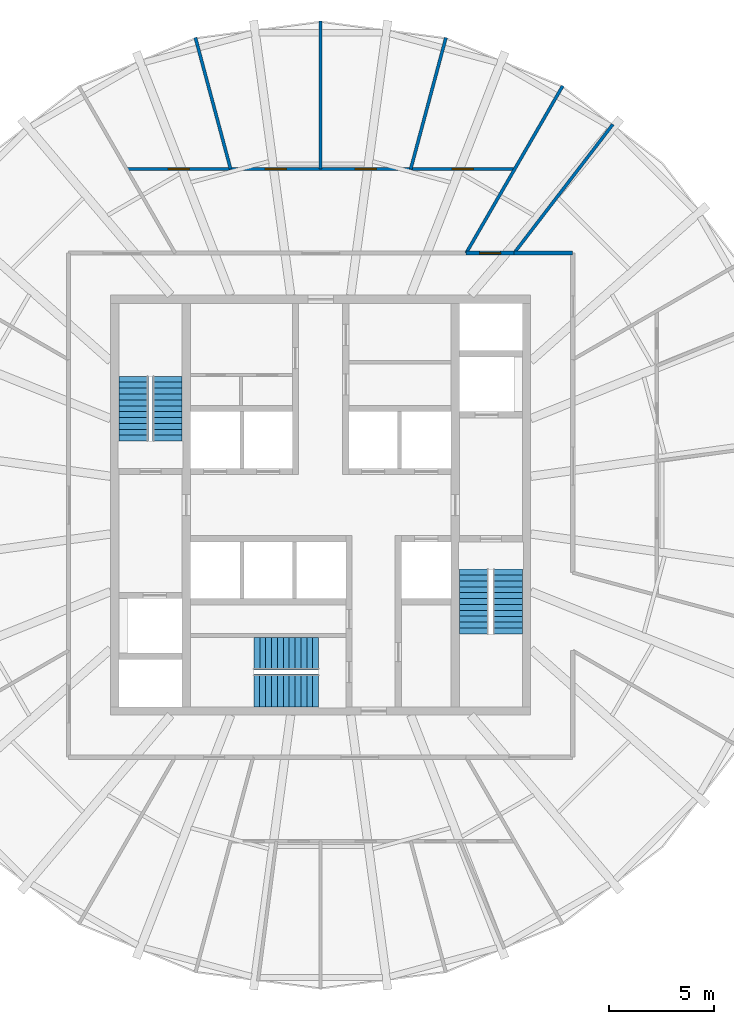
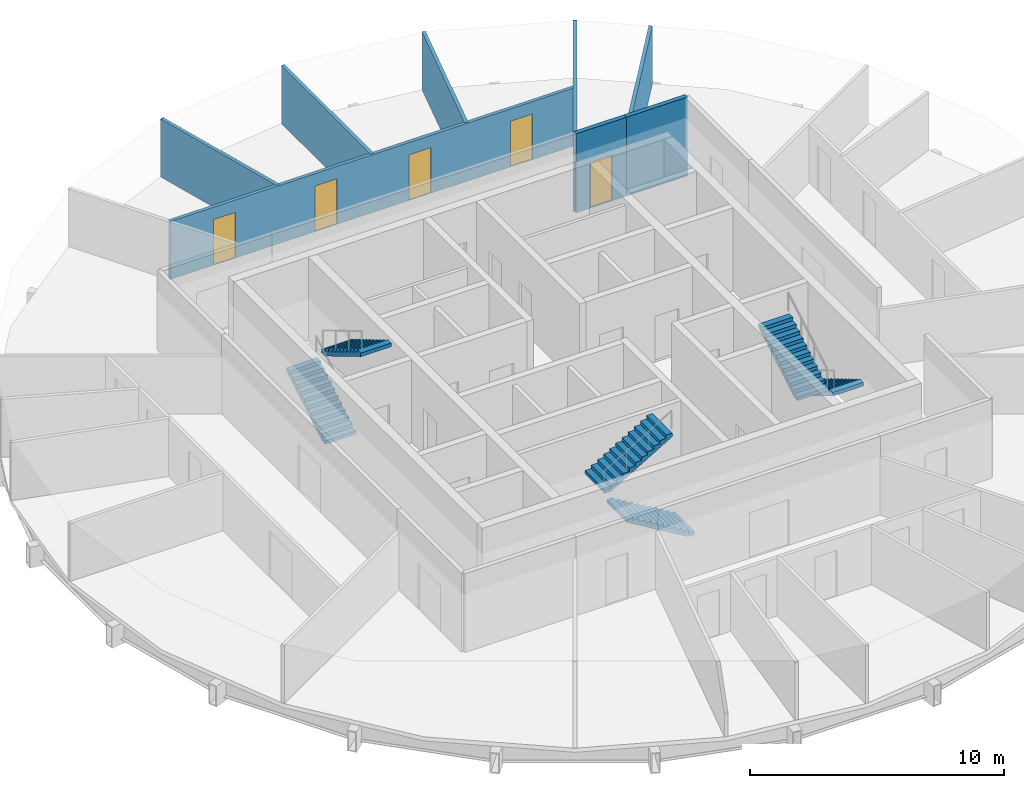
# One storey, part 5 of 6: 8 walls, 6 stair flights, 5 doors, 5 openings, 3 elements without a shape of their own.
"""IFC4 building model written with IfcOpenShell, lengths in metres."""

from ifc_helpers import new_model, si_unit, direction, frame, frame_2d, origin, place, context, subcontext, project, spatial, polyline, rectangle, outline, extrude, material, layer, layer_set, type_object, element, fill, aggregate, save


model = new_model("IFC4")

# Units and contexts
model_context = context("Model", 3, precision=1e-05, world=origin(), true_north=direction((0.0, 1.0)))
body_context = subcontext(model_context, "Body", "Model", "MODEL_VIEW")
ifc_project = project(units=[si_unit("LENGTHUNIT", "METRE"), si_unit("AREAUNIT", "SQUARE_METRE"), si_unit("VOLUMEUNIT", "CUBIC_METRE"), si_unit("PLANEANGLEUNIT", "RADIAN"), si_unit("MASSUNIT", "GRAM", prefix="KILO")], contexts=[model_context])

# Site, building, storey
site_placement = place(None, origin())
site = spatial("IfcSite", under=ifc_project, at=site_placement, CompositionType="ELEMENT")
building_placement = place(site_placement, origin())
building = spatial("IfcBuilding", under=site, at=building_placement, Name="Golbaran Civic Tower", CompositionType="ELEMENT")
storey_placement = place(building_placement, frame((0.0, 0.0, 224.0)))
storey = spatial("IfcBuildingStorey", under=building, at=storey_placement, Name="L54", CompositionType="ELEMENT", Elevation=224.0)

# Wall
ifc_material_1 = material(Name="Gypsum board on steel studs, fire-rated", Category="steel")
ifc_layer_1 = layer(ifc_material_1, 0.199951171875, Name="Gypsum board on steel studs, fire-rated")
ifc_layer_set_1 = layer_set([ifc_layer_1], Name="Gypsum board on steel studs, fire-rated")
wall_type_1 = type_object("IfcWallType", Name="CORRIDOR WALL 200", PredefinedType="PARTITIONING", material=ifc_layer_set_1)
wall_1_placement = place(storey_placement, frame((12.0, 12.0, 0.0), z_axis=(0.0, 0.0, 1.0), x_axis=(-1.0, 0.0, 0.0)))
element("IfcWall", 1, at=wall_1_placement, inside=storey, type_object=wall_type_1, Name="Corridor wall L54", PredefinedType="PARTITIONING", context=body_context, shape_type="SweptSolid", body=[
    extrude(rectangle(XDim=2.7919921875, YDim=0.199951171875, at=frame_2d((1.39599609375, 0.0))), origin(), (0.0, 0.0, 1.0), 3.800048828125),
])

# Wall, opening, door
wall_2_placement = place(storey_placement, frame((9.2080078125, 12.0, 0.0), z_axis=(0.0, 0.0, 1.0), x_axis=(-1.0, 0.0, 0.0)))
wall_2 = element("IfcWall", 2, at=wall_2_placement, inside=storey, type_object=wall_type_1, Name="Corridor wall L54", PredefinedType="PARTITIONING", context=body_context, shape_type="SweptSolid", body=[
    extrude(rectangle(XDim=2.27978515625, YDim=0.199951171875, at=frame_2d((1.139892578125, 0.0))), origin(), (0.0, 0.0, 1.0), 3.800048828125),
])
opening_1_placement = place(wall_2_placement, frame((0.639892578125, 0.0, 0.0)))
opening_1 = element("IfcOpeningElement", 3, at=opening_1_placement, cuts=wall_2, Name="Opening L54.19", PredefinedType="OPENING", context=body_context, shape_type="SweptSolid", body=[
    extrude(rectangle(XDim=1.0, YDim=2.199951171875, at=frame_2d((0.5, 1.10009765625))), frame((0.0, 0.10986328125, 0.0), z_axis=(0.0, -1.0, 0.0), x_axis=(1.0, 0.0, 0.0)), (0.0, 0.0, 1.0), 0.219970703125),
])
ifc_material_2 = material(Name="Timber door set in steel frame", Category="steel")
door_type = type_object("IfcDoorType", Name="OFFICE DOOR 1000x2200", OperationType="SINGLE_SWING_LEFT", PredefinedType="DOOR", material=ifc_material_2)
door_1_placement = place(opening_1_placement, origin())
door_1 = element("IfcDoor", 4, at=door_1_placement, inside=storey, type_object=door_type, Name="Prayer Room door L54", OperationType="SINGLE_SWING_RIGHT", OverallHeight=2.199951171875, OverallWidth=1.0, PredefinedType="DOOR", context=body_context, shape_type="SweptSolid", body=[
    extrude(rectangle(XDim=1.0, YDim=2.199951171875, at=frame_2d((0.5, 1.10009765625))), frame((0.0, 0.02490234375, 0.0), z_axis=(0.0, -1.0, 0.0), x_axis=(1.0, 0.0, 0.0)), (0.0, 0.0, 1.0), 0.050048828125),
])
fill(opening_1, door_1)

# Walls
ifc_material_3 = material(Name="Gypsum board on steel studs", Category="steel")
ifc_layer_2 = layer(ifc_material_3, 0.14990234375, Name="Gypsum board on steel studs")
ifc_layer_set_2 = layer_set([ifc_layer_2], Name="Gypsum board on steel studs")
wall_type_2 = type_object("IfcWallType", Name="OFFICE PARTITION 150", PredefinedType="PARTITIONING", material=ifc_layer_set_2)
wall_3_placement = place(storey_placement, frame((9.2080078125, 12.0, 0.0), z_axis=(0.0, 0.0, 1.0), x_axis=(0.608747506595, 0.793364023141, 0.0)))
element("IfcWall", 5, at=wall_3_placement, inside=storey, type_object=wall_type_2, Name="Partition 52.5 L54", PredefinedType="PARTITIONING", context=body_context, shape_type="SweptSolid", body=[
    extrude(rectangle(XDim=7.72021484375, YDim=0.14990234375, at=frame_2d((3.860107421875, 0.0))), origin(), (0.0, 0.0, 1.0), 2.7900390625),
])
wall_4_placement = place(storey_placement, frame((6.92822265625, 12.0, 0.0), z_axis=(0.0, 0.0, 1.0), x_axis=(0.500006167237, 0.866021843099, 0.0)))
element("IfcWall", 6, at=wall_4_placement, inside=storey, type_object=wall_type_2, Name="Partition 60 L54", PredefinedType="PARTITIONING", context=body_context, shape_type="SweptSolid", body=[
    extrude(rectangle(XDim=9.18701171875, YDim=0.14990234375, at=frame_2d((4.593505859375, 0.0))), origin(), (0.0, 0.0, 1.0), 2.7900390625),
])

# Wall, openings, doors
wall_5_placement = place(storey_placement, frame((9.237548828125, 16.0, 0.0), z_axis=(0.0, 0.0, 1.0), x_axis=(-1.0, 0.0, 0.0)))
wall_5 = element("IfcWall", 7, at=wall_5_placement, inside=storey, type_object=wall_type_2, Name="Suite partition L54", PredefinedType="PARTITIONING", context=body_context, shape_type="SweptSolid", body=[
    extrude(rectangle(XDim=18.47509765625, YDim=0.14990234375, at=frame_2d((9.237548828125, 0.0))), origin(), (0.0, 0.0, 1.0), 2.7900390625),
])
opening_2_placement = place(wall_5_placement, frame((1.97509765625, 0.0, 0.0)))
opening_2 = element("IfcOpeningElement", 8, at=opening_2_placement, cuts=wall_5, Name="Opening L54.04", PredefinedType="OPENING", context=body_context, shape_type="SweptSolid", body=[
    extrude(rectangle(XDim=1.0, YDim=2.199951171875, at=frame_2d((0.5, 1.10009765625))), frame((0.0, 0.0849609375, 0.0), z_axis=(0.0, -1.0, 0.0), x_axis=(1.0, 0.0, 0.0)), (0.0, 0.0, 1.0), 0.169921875),
])
opening_3_placement = place(wall_5_placement, frame((6.593994140625, 0.0, 0.0)))
opening_3 = element("IfcOpeningElement", 9, at=opening_3_placement, cuts=wall_5, Name="Opening L54.05", PredefinedType="OPENING", context=body_context, shape_type="SweptSolid", body=[
    extrude(rectangle(XDim=1.0, YDim=2.199951171875, at=frame_2d((0.5, 1.10009765625))), frame((0.0, 0.0849609375, 0.0), z_axis=(0.0, -1.0, 0.0), x_axis=(1.0, 0.0, 0.0)), (0.0, 0.0, 1.0), 0.169921875),
])
opening_4_placement = place(wall_5_placement, frame((10.881103515625, 0.0, 0.0)))
opening_4 = element("IfcOpeningElement", 10, at=opening_4_placement, cuts=wall_5, Name="Opening L54.06", PredefinedType="OPENING", context=body_context, shape_type="SweptSolid", body=[
    extrude(rectangle(XDim=1.0, YDim=2.199951171875, at=frame_2d((0.5, 1.10009765625))), frame((0.0, 0.0849609375, 0.0), z_axis=(0.0, -1.0, 0.0), x_axis=(1.0, 0.0, 0.0)), (0.0, 0.0, 1.0), 0.169921875),
])
opening_5_placement = place(wall_5_placement, frame((15.5, 0.0, 0.0)))
opening_5 = element("IfcOpeningElement", 11, at=opening_5_placement, cuts=wall_5, Name="Opening L54.07", PredefinedType="OPENING", context=body_context, shape_type="SweptSolid", body=[
    extrude(rectangle(XDim=1.0, YDim=2.199951171875, at=frame_2d((0.5, 1.10009765625))), frame((0.0, 0.0849609375, 0.0), z_axis=(0.0, -1.0, 0.0), x_axis=(1.0, 0.0, 0.0)), (0.0, 0.0, 1.0), 0.169921875),
])
door_2_placement = place(opening_2_placement, origin())
door_2 = element("IfcDoor", 12, at=door_2_placement, inside=storey, type_object=door_type, Name="Assistants' Office door L54", OperationType="SINGLE_SWING_LEFT", OverallHeight=2.199951171875, OverallWidth=1.0, PredefinedType="DOOR", context=body_context, shape_type="SweptSolid", body=[
    extrude(rectangle(XDim=1.0, YDim=2.199951171875, at=frame_2d((0.5, 1.10009765625))), frame((0.0, 0.02490234375, 0.0), z_axis=(0.0, -1.0, 0.0), x_axis=(1.0, 0.0, 0.0)), (0.0, 0.0, 1.0), 0.050048828125),
])
fill(opening_2, door_2)
door_3_placement = place(opening_3_placement, origin())
door_3 = element("IfcDoor", 13, at=door_3_placement, inside=storey, type_object=door_type, Name="Office door L54", OperationType="SINGLE_SWING_LEFT", OverallHeight=2.199951171875, OverallWidth=1.0, PredefinedType="DOOR", context=body_context, shape_type="SweptSolid", body=[
    extrude(rectangle(XDim=1.0, YDim=2.199951171875, at=frame_2d((0.5, 1.10009765625))), frame((0.0, 0.02490234375, 0.0), z_axis=(0.0, -1.0, 0.0), x_axis=(1.0, 0.0, 0.0)), (0.0, 0.0, 1.0), 0.050048828125),
])
fill(opening_3, door_3)
door_4_placement = place(opening_4_placement, origin())
door_4 = element("IfcDoor", 14, at=door_4_placement, inside=storey, type_object=door_type, Name="Office door L54", OperationType="SINGLE_SWING_RIGHT", OverallHeight=2.199951171875, OverallWidth=1.0, PredefinedType="DOOR", context=body_context, shape_type="SweptSolid", body=[
    extrude(rectangle(XDim=1.0, YDim=2.199951171875, at=frame_2d((0.5, 1.10009765625))), frame((0.0, 0.02490234375, 0.0), z_axis=(0.0, -1.0, 0.0), x_axis=(1.0, 0.0, 0.0)), (0.0, 0.0, 1.0), 0.050048828125),
])
fill(opening_4, door_4)
door_5_placement = place(opening_5_placement, origin())
door_5 = element("IfcDoor", 15, at=door_5_placement, inside=storey, type_object=door_type, Name="Assistants' Office door L54", OperationType="SINGLE_SWING_RIGHT", OverallHeight=2.199951171875, OverallWidth=1.0, PredefinedType="DOOR", context=body_context, shape_type="SweptSolid", body=[
    extrude(rectangle(XDim=1.0, YDim=2.199951171875, at=frame_2d((0.5, 1.10009765625))), frame((0.0, 0.02490234375, 0.0), z_axis=(0.0, -1.0, 0.0), x_axis=(1.0, 0.0, 0.0)), (0.0, 0.0, 1.0), 0.050048828125),
])
fill(opening_5, door_5)

# Walls
wall_6_placement = place(storey_placement, frame((4.287109375, 16.0, 0.0), z_axis=(0.0, 0.0, 1.0), x_axis=(0.258842191576, 0.965919623913, 0.0)))
element("IfcWall", 16, at=wall_6_placement, inside=storey, type_object=wall_type_2, Name="Partition 75 L54", PredefinedType="PARTITIONING", context=body_context, shape_type="SweptSolid", body=[
    extrude(rectangle(XDim=6.478759765625, YDim=0.14990234375, at=frame_2d((3.2392578125, 0.0))), origin(), (0.0, 0.0, 1.0), 2.7900390625),
])
wall_7_placement = place(storey_placement, frame((0.0, 16.0, 0.0), z_axis=(0.0, 0.0, 1.0), x_axis=(0.0, 1.0, 0.0)))
element("IfcWall", 17, at=wall_7_placement, inside=storey, type_object=wall_type_2, Name="Partition 90 L54", PredefinedType="PARTITIONING", context=body_context, shape_type="SweptSolid", body=[
    extrude(rectangle(XDim=7.043212890625, YDim=0.14990234375, at=frame_2d((3.521484375, 0.0))), origin(), (0.0, 0.0, 1.0), 2.7900390625),
])
wall_8_placement = place(storey_placement, frame((-4.287109375, 16.0, 0.0), z_axis=(0.0, 0.0, 1.0), x_axis=(-0.258842191576, 0.965919623913, 0.0)))
element("IfcWall", 18, at=wall_8_placement, inside=storey, type_object=wall_type_2, Name="Partition 105 L54", PredefinedType="PARTITIONING", context=body_context, shape_type="SweptSolid", body=[
    extrude(rectangle(XDim=6.478759765625, YDim=0.14990234375, at=frame_2d((3.2392578125, 0.0))), origin(), (0.0, 0.0, 1.0), 2.7900390625),
])

# Stair, stair flights
ifc_material_4 = material(Name="Concrete C35/45", Category="concrete")
stair_type_1 = type_object("IfcStairType", Name="EXIT STAIR 3000 x 7850, 4000 RISE", PredefinedType="HALF_TURN_STAIR", material=ifc_material_4)
stair_1_placement = place(storey_placement, origin())
stair_1 = element("IfcStair", 19, at=stair_1_placement, inside=storey, type_object=stair_type_1, Name="Stair S1 L54", PredefinedType="HALF_TURN_STAIR")
stair_flight_type_1 = type_object("IfcStairFlightType", Name="STAIR FLIGHT 1400 WIDE", PredefinedType="STRAIGHT", material=ifc_material_4)
stair_flight_1_placement = place(storey_placement, frame((-8.89990234375, 3.050048828125, 0.0), z_axis=(0.0, 0.0, 1.0), x_axis=(0.0, 1.0, 0.0)))
stair_flight_1 = element("IfcStairFlight", 20, at=stair_flight_1_placement, type_object=stair_flight_type_1, Name="ST30078-40 flight 1", NumberOfRisers=12, NumberOfTreads=11, PredefinedType="STRAIGHT", RiserHeight=0.166666667, TreadLength=0.28, context=body_context, shape_type="SweptSolid", body=[
    extrude(outline(polyline([(0.0, 0.0), (0.0, 0.166748046875), (0.280029296875, 0.166748046875), (0.280029296875, 0.333251953125), (0.56005859375, 0.333251953125), (0.56005859375, 0.5), (0.840087890625, 0.5), (0.840087890625, 0.666748046875), (1.1201171875, 0.666748046875), (1.1201171875, 0.833251953125), (1.39990234375, 0.833251953125), (1.39990234375, 1.0), (1.679931640625, 1.0), (1.679931640625, 1.166748046875), (1.9599609375, 1.166748046875), (1.9599609375, 1.333251953125), (2.239990234375, 1.333251953125), (2.239990234375, 1.5), (2.52001953125, 1.5), (2.52001953125, 1.666748046875), (2.800048828125, 1.666748046875), (2.800048828125, 1.833251953125), (3.080078125, 1.833251953125), (3.080078125, 2.0), (3.080078125, 1.658935546875), (0.29296875, 0.0), (0.0, 0.0)])), frame((0.0, 0.699951171875, 0.0), z_axis=(0.0, -1.0, 0.0), x_axis=(1.0, 0.0, 0.0)), (0.0, 0.0, 1.0), 1.39990234375),
])
stair_flight_2_placement = place(storey_placement, frame((-7.300048828125, 6.1298828125, 2.0), z_axis=(0.0, 0.0, 1.0), x_axis=(0.0, -1.0, 0.0)))
stair_flight_2 = element("IfcStairFlight", 21, at=stair_flight_2_placement, type_object=stair_flight_type_1, Name="ST30078-40 flight 2", NumberOfRisers=12, NumberOfTreads=11, PredefinedType="STRAIGHT", RiserHeight=0.166666667, TreadLength=0.28, context=body_context, shape_type="SweptSolid", body=[
    extrude(outline(polyline([(0.0, 0.0), (0.0, 0.166748046875), (0.280029296875, 0.166748046875), (0.280029296875, 0.333251953125), (0.56005859375, 0.333251953125), (0.56005859375, 0.5), (0.840087890625, 0.5), (0.840087890625, 0.666748046875), (1.1201171875, 0.666748046875), (1.1201171875, 0.833251953125), (1.39990234375, 0.833251953125), (1.39990234375, 1.0), (1.679931640625, 1.0), (1.679931640625, 1.166748046875), (1.9599609375, 1.166748046875), (1.9599609375, 1.333251953125), (2.239990234375, 1.333251953125), (2.239990234375, 1.5), (2.52001953125, 1.5), (2.52001953125, 1.666748046875), (2.800048828125, 1.666748046875), (2.800048828125, 1.833251953125), (3.080078125, 1.833251953125), (3.080078125, 2.0), (3.080078125, 1.658935546875), (0.29296875, 0.0), (0.0, 0.0)])), frame((0.0, 0.699951171875, 0.0), z_axis=(0.0, -1.0, 0.0), x_axis=(1.0, 0.0, 0.0)), (0.0, 0.0, 1.0), 1.39990234375),
])
aggregate(stair_1, [stair_flight_1, stair_flight_2])

stair_2_placement = place(storey_placement, origin())
stair_2 = element("IfcStair", 22, at=stair_2_placement, inside=storey, type_object=stair_type_1, Name="Stair S2 L54", PredefinedType="HALF_TURN_STAIR")
stair_flight_3_placement = place(storey_placement, frame((8.89990234375, -3.050048828125, 0.0), z_axis=(0.0, 0.0, 1.0), x_axis=(0.0, -1.0, 0.0)))
stair_flight_3 = element("IfcStairFlight", 23, at=stair_flight_3_placement, type_object=stair_flight_type_1, Name="ST30078-40 flight 1", NumberOfRisers=12, NumberOfTreads=11, PredefinedType="STRAIGHT", RiserHeight=0.166666667, TreadLength=0.28, context=body_context, shape_type="SweptSolid", body=[
    extrude(outline(polyline([(0.0, 0.0), (0.0, 0.166748046875), (0.280029296875, 0.166748046875), (0.280029296875, 0.333251953125), (0.56005859375, 0.333251953125), (0.56005859375, 0.5), (0.840087890625, 0.5), (0.840087890625, 0.666748046875), (1.1201171875, 0.666748046875), (1.1201171875, 0.833251953125), (1.39990234375, 0.833251953125), (1.39990234375, 1.0), (1.679931640625, 1.0), (1.679931640625, 1.166748046875), (1.9599609375, 1.166748046875), (1.9599609375, 1.333251953125), (2.239990234375, 1.333251953125), (2.239990234375, 1.5), (2.52001953125, 1.5), (2.52001953125, 1.666748046875), (2.800048828125, 1.666748046875), (2.800048828125, 1.833251953125), (3.080078125, 1.833251953125), (3.080078125, 2.0), (3.080078125, 1.658935546875), (0.29296875, 0.0), (0.0, 0.0)])), frame((0.0, 0.699951171875, 0.0), z_axis=(0.0, -1.0, 0.0), x_axis=(1.0, 0.0, 0.0)), (0.0, 0.0, 1.0), 1.39990234375),
])
stair_flight_4_placement = place(storey_placement, frame((7.300048828125, -6.1298828125, 2.0), z_axis=(0.0, 0.0, 1.0), x_axis=(0.0, 1.0, 0.0)))
stair_flight_4 = element("IfcStairFlight", 24, at=stair_flight_4_placement, type_object=stair_flight_type_1, Name="ST30078-40 flight 2", NumberOfRisers=12, NumberOfTreads=11, PredefinedType="STRAIGHT", RiserHeight=0.166666667, TreadLength=0.28, context=body_context, shape_type="SweptSolid", body=[
    extrude(outline(polyline([(0.0, 0.0), (0.0, 0.166748046875), (0.280029296875, 0.166748046875), (0.280029296875, 0.333251953125), (0.56005859375, 0.333251953125), (0.56005859375, 0.5), (0.840087890625, 0.5), (0.840087890625, 0.666748046875), (1.1201171875, 0.666748046875), (1.1201171875, 0.833251953125), (1.39990234375, 0.833251953125), (1.39990234375, 1.0), (1.679931640625, 1.0), (1.679931640625, 1.166748046875), (1.9599609375, 1.166748046875), (1.9599609375, 1.333251953125), (2.239990234375, 1.333251953125), (2.239990234375, 1.5), (2.52001953125, 1.5), (2.52001953125, 1.666748046875), (2.800048828125, 1.666748046875), (2.800048828125, 1.833251953125), (3.080078125, 1.833251953125), (3.080078125, 2.0), (3.080078125, 1.658935546875), (0.29296875, 0.0), (0.0, 0.0)])), frame((0.0, 0.699951171875, 0.0), z_axis=(0.0, -1.0, 0.0), x_axis=(1.0, 0.0, 0.0)), (0.0, 0.0, 1.0), 1.39990234375),
])
aggregate(stair_2, [stair_flight_3, stair_flight_4])

stair_type_2 = type_object("IfcStairType", Name="EXIT STAIR 3300 x 7400, 4000 RISE", PredefinedType="HALF_TURN_STAIR", material=ifc_material_4)
stair_3_placement = place(storey_placement, origin())
stair_3 = element("IfcStair", 25, at=stair_3_placement, inside=storey, type_object=stair_type_2, Name="Stair S3 L54", PredefinedType="HALF_TURN_STAIR")
stair_flight_type_2 = type_object("IfcStairFlightType", Name="STAIR FLIGHT 1550 WIDE", PredefinedType="STRAIGHT", material=ifc_material_4)
stair_flight_5_placement = place(storey_placement, frame((-0.10009765625, -8.824951171875, 0.0), z_axis=(0.0, 0.0, 1.0), x_axis=(-1.0, 0.0, 0.0)))
stair_flight_5 = element("IfcStairFlight", 26, at=stair_flight_5_placement, type_object=stair_flight_type_2, Name="ST33074-40 flight 1", NumberOfRisers=12, NumberOfTreads=11, PredefinedType="STRAIGHT", RiserHeight=0.166666667, TreadLength=0.28, context=body_context, shape_type="SweptSolid", body=[
    extrude(outline(polyline([(0.0, 0.0), (0.0, 0.166748046875), (0.280029296875, 0.166748046875), (0.280029296875, 0.333251953125), (0.56005859375, 0.333251953125), (0.56005859375, 0.5), (0.840087890625, 0.5), (0.840087890625, 0.666748046875), (1.1201171875, 0.666748046875), (1.1201171875, 0.833251953125), (1.39990234375, 0.833251953125), (1.39990234375, 1.0), (1.679931640625, 1.0), (1.679931640625, 1.166748046875), (1.9599609375, 1.166748046875), (1.9599609375, 1.333251953125), (2.239990234375, 1.333251953125), (2.239990234375, 1.5), (2.52001953125, 1.5), (2.52001953125, 1.666748046875), (2.800048828125, 1.666748046875), (2.800048828125, 1.833251953125), (3.080078125, 1.833251953125), (3.080078125, 2.0), (3.080078125, 1.658935546875), (0.29296875, 0.0), (0.0, 0.0)])), frame((0.0, 0.77490234375, 0.0), z_axis=(0.0, -1.0, 0.0), x_axis=(1.0, 0.0, 0.0)), (0.0, 0.0, 1.0), 1.550048828125),
])
stair_flight_6_placement = place(storey_placement, frame((-3.179931640625, -7.074951171875, 2.0), z_axis=(0.0, 0.0, 1.0), x_axis=(1.0, 0.0, 0.0)))
stair_flight_6 = element("IfcStairFlight", 27, at=stair_flight_6_placement, type_object=stair_flight_type_2, Name="ST33074-40 flight 2", NumberOfRisers=12, NumberOfTreads=11, PredefinedType="STRAIGHT", RiserHeight=0.166666667, TreadLength=0.28, context=body_context, shape_type="SweptSolid", body=[
    extrude(outline(polyline([(0.0, 0.0), (0.0, 0.166748046875), (0.280029296875, 0.166748046875), (0.280029296875, 0.333251953125), (0.56005859375, 0.333251953125), (0.56005859375, 0.5), (0.840087890625, 0.5), (0.840087890625, 0.666748046875), (1.1201171875, 0.666748046875), (1.1201171875, 0.833251953125), (1.39990234375, 0.833251953125), (1.39990234375, 1.0), (1.679931640625, 1.0), (1.679931640625, 1.166748046875), (1.9599609375, 1.166748046875), (1.9599609375, 1.333251953125), (2.239990234375, 1.333251953125), (2.239990234375, 1.5), (2.52001953125, 1.5), (2.52001953125, 1.666748046875), (2.800048828125, 1.666748046875), (2.800048828125, 1.833251953125), (3.080078125, 1.833251953125), (3.080078125, 2.0), (3.080078125, 1.658935546875), (0.29296875, 0.0), (0.0, 0.0)])), frame((0.0, 0.77490234375, 0.0), z_axis=(0.0, -1.0, 0.0), x_axis=(1.0, 0.0, 0.0)), (0.0, 0.0, 1.0), 1.550048828125),
])
aggregate(stair_3, [stair_flight_5, stair_flight_6])

save(model, "model.ifc")
